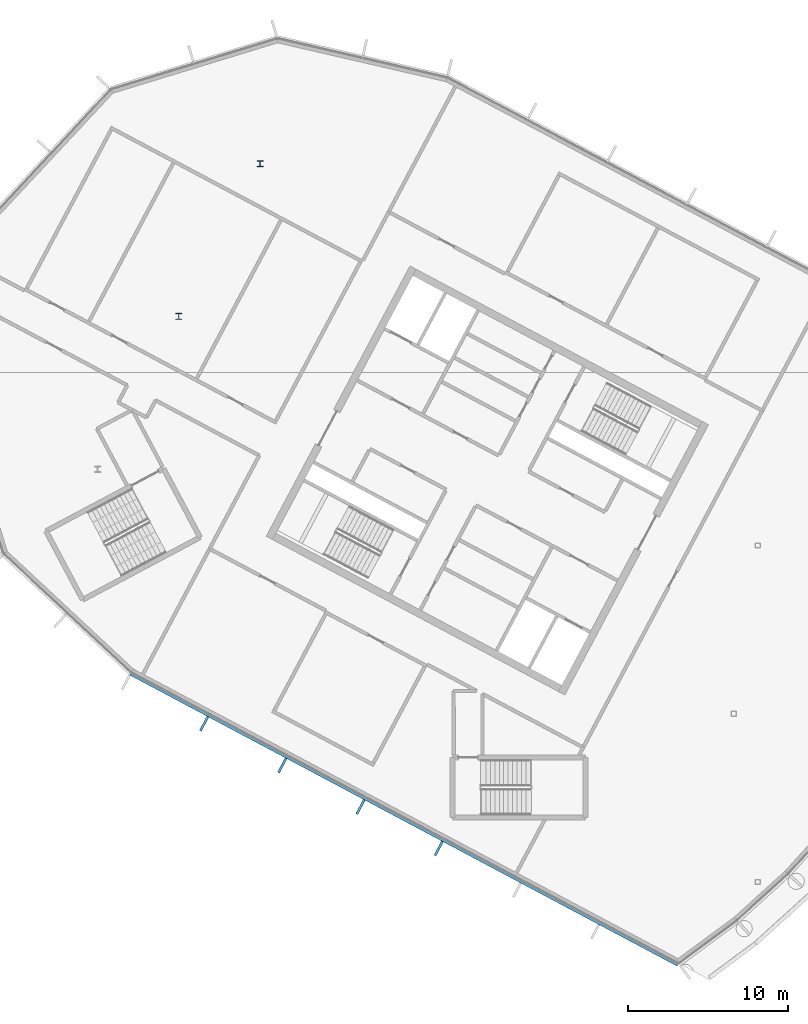
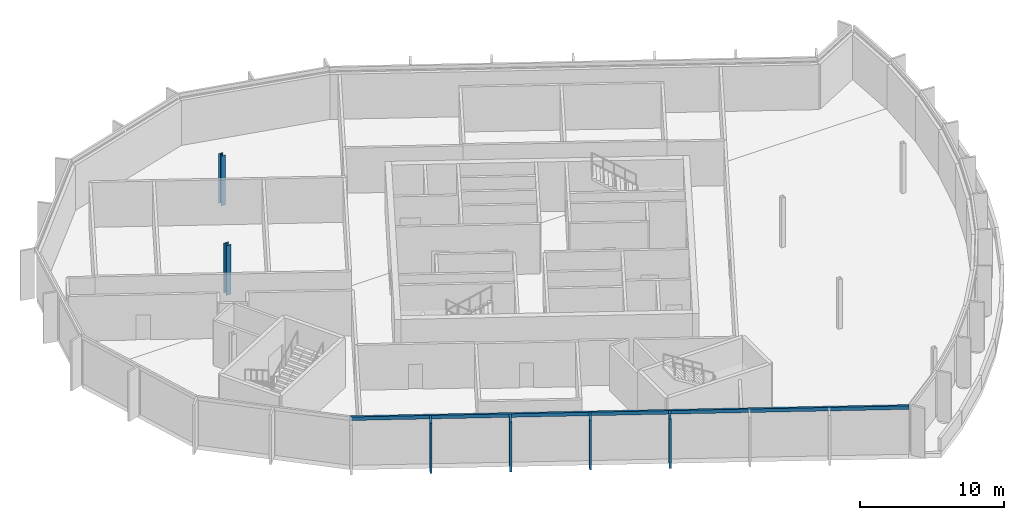
# One storey, part 3 of 15: 5 members, 2 columns, 1 element without a shape of its own.
"""IFC4 building model written with IfcOpenShell, lengths in metres."""

import ifcopenshell
import ifcopenshell.guid

model = None  # the IFC model being written
_history = None  # IfcOwnerHistory: only IFC2X3 demands one
_inside = {}  # id of a spatial element -> (the spatial element, [elements in it])
_under = {}  # id of a project, library or spatial element -> (it, [spatial elements below it])
_declared = {}  # id of a project -> (the project, [libraries it declares])
_typed = {}  # id of a type object -> (the type object, [elements of that type])
_made_of = {}  # id of a material, layer set ... -> (it, [elements and type objects made of it])


def new_model(schema):
    """Start an empty IFC model of exactly this schema.

    Asked for "IFC4X3", IfcOpenShell would pick the latest addendum, in which some entities
    have other attributes; the version numbers below select the first issue.
    IFC2X3 requires an IfcOwnerHistory on every rooted entity: one is made here for all.
    """
    global model, _history
    if schema == "IFC4X3":
        model = ifcopenshell.file(schema_version=(4, 3, 0, 0))
    else:
        model = ifcopenshell.file(schema=schema)
    _inside.clear()
    _under.clear()
    _declared.clear()
    _typed.clear()
    _made_of.clear()
    _history = None
    if model.schema == "IFC2X3":
        org = make("IfcOrganization", Name="unknown")
        user = make(
            "IfcPersonAndOrganization",
            ThePerson=make("IfcPerson", FamilyName="unknown"),
            TheOrganization=org,
        )
        app = make(
            "IfcApplication",
            ApplicationDeveloper=org,
            Version="unknown",
            ApplicationFullName="unknown",
            ApplicationIdentifier="unknown",
        )
        _history = make(
            "IfcOwnerHistory",
            OwningUser=user,
            OwningApplication=app,
            ChangeAction="ADDED",
            CreationDate=0,
        )
    return model


def make(cls, **values):
    """One entity of the class cls with the attributes given. An attribute that is None is left unset."""
    return model.create_entity(
        cls, **{name: value for name, value in values.items() if value is not None}
    )


def rooted(cls, **values):
    """An entity with a GlobalId (a new one), such as an element, a storey or a relation."""
    return make(cls, GlobalId=ifcopenshell.guid.new(), OwnerHistory=_history, **values)


def si_unit(unit_type, name, prefix=None):
    """IfcSIUnit, for example si_unit("LENGTHUNIT", "METRE", prefix="MILLI")."""
    return make("IfcSIUnit", UnitType=unit_type, Prefix=prefix, Name=name)


def assignment(units):
    """IfcUnitAssignment: the units of a project."""
    return None if units is None else make("IfcUnitAssignment", Units=units)


def point(xyz):
    """IfcCartesianPoint."""
    return None if xyz is None else make("IfcCartesianPoint", Coordinates=xyz)


def direction(xyz):
    """IfcDirection."""
    return None if xyz is None else make("IfcDirection", DirectionRatios=xyz)


def frame(location, z_axis=None, x_axis=None):
    """IfcAxis2Placement3D, a coordinate frame: its origin and axes. An axis left out is left unset."""
    return make(
        "IfcAxis2Placement3D",
        Location=point(location),
        Axis=direction(z_axis),
        RefDirection=direction(x_axis),
    )


def frame_2d(location, x_axis=None):
    """IfcAxis2Placement2D, a coordinate frame in the plane: its origin and x axis."""
    return make(
        "IfcAxis2Placement2D", Location=point(location), RefDirection=direction(x_axis)
    )


def origin():
    """The frame at (0, 0, 0) with its axes left unset."""
    return frame((0.0, 0.0, 0.0))


def origin_2d():
    """The frame at (0, 0) in the plane with its x axis left unset."""
    return frame_2d((0.0, 0.0))


def place(relative_to, where):
    """IfcLocalPlacement: puts the frame where relative to a parent placement (None: the world)."""
    return make(
        "IfcLocalPlacement", PlacementRelTo=relative_to, RelativePlacement=where
    )


def context(
    kind, dimensions, precision=None, world=None, true_north=None, identifier=None
):
    """IfcGeometricRepresentationContext, for example the 3D "Model" context."""
    return make(
        "IfcGeometricRepresentationContext",
        ContextIdentifier=identifier,
        ContextType=kind,
        CoordinateSpaceDimension=dimensions,
        Precision=precision,
        WorldCoordinateSystem=world,
        TrueNorth=true_north,
    )


def subcontext(parent, identifier, kind, view, scale=None):
    """IfcGeometricRepresentationSubContext, for example "Body" below "Model"."""
    return make(
        "IfcGeometricRepresentationSubContext",
        ContextIdentifier=identifier,
        ContextType=kind,
        ParentContext=parent,
        TargetScale=scale,
        TargetView=view,
    )


def project(units=None, contexts=None):
    """IfcProject with its units and contexts."""
    return rooted(
        "IfcProject",
        Name="project",
        RepresentationContexts=contexts,
        UnitsInContext=assignment(units),
    )


def spatial(cls, under=None, at=None, **own):
    """A site, building, storey or space (cls), placed at a placement, below another one or the project."""
    s = rooted(cls, ObjectPlacement=at, **own)
    if under is not None:
        _under.setdefault(under.id(), (under, []))[1].append(s)
    return s


def profile(cls, at=None, kind="AREA", **sizes):
    """A parametric profile (cls). Its sizes go by their IFC names, for example OverallWidth=200.0."""
    return make(cls, ProfileType=kind, Position=at, **sizes)


def rectangle(**sizes):
    """IfcRectangleProfileDef."""
    return profile("IfcRectangleProfileDef", **sizes)


def i_section(**sizes):
    """IfcIShapeProfileDef."""
    return profile("IfcIShapeProfileDef", **sizes)


def extrude(swept, where, along, depth):
    """IfcExtrudedAreaSolid: the profile swept, set in the frame where, extruded along a direction by depth."""
    return make(
        "IfcExtrudedAreaSolid",
        SweptArea=swept,
        Position=where,
        ExtrudedDirection=direction(along),
        Depth=depth,
    )


def shape(context_of_items, identifier, shape_type, items):
    """IfcShapeRepresentation: the items that make up one representation, for example the "Body"."""
    return make(
        "IfcShapeRepresentation",
        ContextOfItems=context_of_items,
        RepresentationIdentifier=identifier,
        RepresentationType=shape_type,
        Items=items,
    )


def material(Name=None, Category=None):
    """IfcMaterial."""
    return make("IfcMaterial", Name=Name, Category=Category)


def layer(
    of_material, thickness, ventilated=None, Name=None, Category=None, Priority=None
):
    """IfcMaterialLayer: one layer of a wall or slab, of a material (None: an air gap)."""
    return make(
        "IfcMaterialLayer",
        Material=of_material,
        LayerThickness=thickness,
        IsVentilated=ventilated,
        Name=Name,
        Category=Category,
        Priority=Priority,
    )


def layer_set(layers, Name=None):
    """IfcMaterialLayerSet."""
    return make("IfcMaterialLayerSet", MaterialLayers=layers, LayerSetName=Name)


def material_profile(
    of_material, cross_section, Name=None, Category=None, Priority=None
):
    """IfcMaterialProfile: a cross section and its material."""
    return make(
        "IfcMaterialProfile",
        Name=Name,
        Material=of_material,
        Profile=cross_section,
        Priority=Priority,
        Category=Category,
    )


def profile_set(profiles, Name=None, composite=None):
    """IfcMaterialProfileSet."""
    return make(
        "IfcMaterialProfileSet",
        Name=Name,
        MaterialProfiles=profiles,
        CompositeProfile=composite,
    )


def made_of(thing, what):
    """Note that an element or type object is made of a material, layer set ...; save() writes the relation."""
    if what is not None:
        _made_of.setdefault(what.id(), (what, []))[1].append(thing)
    return thing


def type_object(cls, material=None, **own):
    """A type object (cls), such as IfcWallType, which elements share."""
    return made_of(rooted(cls, **own), material)


def element(
    cls,
    number,
    at=None,
    inside=None,
    cuts=None,
    type_object=None,
    material=None,
    context=None,
    identifier="Body",
    shape_type=None,
    held_by="IfcProductDefinitionShape",
    body=None,
    shapes=None,
    **own,
):
    """One element of the class cls, such as IfcWall. Its Tag is "e" and its number.

    at: its placement. inside: the storey or other place that contains it. cuts: it is an
    opening in that element (IfcRelVoidsElement). A single representation is given by context,
    identifier, shape_type and body (its items); several are given by shapes. held_by: the class
    of the entity that holds the representations. save() writes the other relations.
    """
    e = rooted(cls, Tag="e%d" % number, ObjectPlacement=at, **own)
    if body is not None:
        shapes = [shape(context, identifier, shape_type, body)]
    if shapes is not None:
        e.Representation = make(held_by, Representations=shapes)
    if inside is not None:
        _inside.setdefault(inside.id(), (inside, []))[1].append(e)
    if cuts is not None:
        rooted(
            "IfcRelVoidsElement", RelatingBuildingElement=cuts, RelatedOpeningElement=e
        )
    if type_object is not None:
        _typed.setdefault(type_object.id(), (type_object, []))[1].append(e)
    return made_of(e, material)


def aggregate(whole, parts):
    """IfcRelAggregates: a whole, such as a stair, and the parts it consists of."""
    return rooted("IfcRelAggregates", RelatingObject=whole, RelatedObjects=parts)


def save(model, path):
    """Write the relations noted so far, then the file.

    IfcRelAggregates (storeys below a building ...), IfcRelContainedInSpatialStructure (elements
    in a storey), IfcRelDefinesByType, IfcRelAssociatesMaterial and IfcRelDeclares: one each for
    every whole, place, type object, material and project.
    """
    for whole, parts in _under.values():
        aggregate(whole, parts)
    for where, things in _inside.values():
        rooted(
            "IfcRelContainedInSpatialStructure",
            RelatedElements=things,
            RelatingStructure=where,
        )
    for kind, things in _typed.values():
        rooted("IfcRelDefinesByType", RelatedObjects=things, RelatingType=kind)
    for what, things in _made_of.values():
        rooted("IfcRelAssociatesMaterial", RelatedObjects=things, RelatingMaterial=what)
    for by, libraries in _declared.values():
        rooted("IfcRelDeclares", RelatingContext=by, RelatedDefinitions=libraries)
    model.write(path)


model = new_model("IFC4")

# Units and contexts
model_context = context("Model", 3, precision=1e-05, world=origin(), true_north=direction((0.0, 1.0)))
body_context = subcontext(model_context, "Body", "Model", "MODEL_VIEW")
ifc_project = project(units=[si_unit("LENGTHUNIT", "METRE"), si_unit("AREAUNIT", "SQUARE_METRE"), si_unit("VOLUMEUNIT", "CUBIC_METRE"), si_unit("PLANEANGLEUNIT", "RADIAN"), si_unit("MASSUNIT", "GRAM", prefix="KILO")], contexts=[model_context])

# Site, building, storey
site_placement = place(None, origin())
site = spatial("IfcSite", under=ifc_project, at=site_placement, CompositionType="ELEMENT")
building_placement = place(site_placement, origin())
building = spatial("IfcBuilding", under=site, at=building_placement, Name="Cormorant Relay Tower", CompositionType="ELEMENT")
storey_placement = place(building_placement, frame((0.0, 0.0, 332.39990234375)))
storey = spatial("IfcBuildingStorey", under=building, at=storey_placement, Name="C2", CompositionType="ELEMENT", Elevation=332.39990234375)

# Columns
ifc_material_1 = material(Name="Steel ASTM A992 (Fy 345 MPa)", Category="steel")
ifc_material_profile_1 = material_profile(ifc_material_1, i_section(OverallWidth=0.373291015625, OverallDepth=0.373291015625, WebThickness=0.016357421875, FlangeThickness=0.026123046875, FilletRadius=0.01513671875, at=origin_2d()), Name="W360x196")
ifc_profile_set_1 = profile_set([ifc_material_profile_1], Name="Steel ASTM A992 (Fy 345 MPa)")
column_type = type_object("IfcColumnType", Name="Column W360x196", PredefinedType="COLUMN", material=ifc_profile_set_1)
for number, where, z_axis, x_axis, name in (
    (1, (-46.6201171875, 24.7880859375, 0.0), (0.0, 0.0, 1.0), (1.0, 0.0, 0.0), "Column C2-006"),
    (2, (-41.549072265625, 34.323974609375, 0.0), (0.0, 0.0, 1.0), (1.0, 0.0, 0.0), "Column C2-007"),
):
    element("IfcColumn", number, at=place(storey_placement, frame(where, z_axis=z_axis, x_axis=x_axis)), inside=storey, type_object=column_type, Name=name, PredefinedType="COLUMN", context=body_context, shape_type="SweptSolid", body=[
        extrude(i_section(OverallWidth=0.373291015625, OverallDepth=0.373291015625, WebThickness=0.016357421875, FlangeThickness=0.026123046875, FilletRadius=0.01513671875, at=origin_2d()), origin(), (0.0, 0.0, 1.0), 4.2001953125),
    ])

# Curtain wall, members
ifc_material_2 = material(Name="Aluminium 6063-T6 anodised bronze", Category="aluminium")
ifc_layer = layer(ifc_material_2, 0.199951171875)
ifc_layer_set = layer_set([ifc_layer], Name="CW3 crown screen wall")
curtain_wall_type = type_object("IfcCurtainWallType", Name="CW3 crown screen wall", PredefinedType="NOTDEFINED", material=ifc_layer_set)
curtain_wall_placement = place(storey_placement, origin())
curtain_wall = element("IfcCurtainWall", 3, at=curtain_wall_placement, inside=storey, type_object=curtain_wall_type, Name="CW3 curtain wall 1", PredefinedType="NOTDEFINED")
ifc_material_3 = material(Name="Aluminium 6063-T6 anodised bronze", Category="aluminium")
ifc_material_profile_2 = material_profile(ifc_material_3, rectangle(XDim=0.14990234375, YDim=1.0, at=origin_2d()), Name="AL 150x1000")
ifc_profile_set_2 = profile_set([ifc_material_profile_2], Name="Aluminium 6063-T6 anodised bronze")
member_type_1 = type_object("IfcMemberType", Name="CW3 bronze fin mullion 150 x 1000", PredefinedType="MULLION", material=ifc_profile_set_2)
member_1_placement = place(storey_placement, frame((-45.041748046875, -0.627685546875, 0.0), z_axis=(0.0, 0.0, 1.0), x_axis=(0.882947592859, -0.469471562786, 0.0)))
member_1 = element("IfcMember", 4, at=member_1_placement, type_object=member_type_1, Name="CW3 fin 1.2", PredefinedType="MULLION", context=body_context, shape_type="SweptSolid", body=[
    extrude(rectangle(XDim=0.14990234375, YDim=1.0, at=origin_2d()), origin(), (0.0, 0.0, 1.0), 4.2001953125),
])
member_2_placement = place(storey_placement, frame((-40.1630859375, -3.2216796875, 0.0), z_axis=(0.0, 0.0, 1.0), x_axis=(0.882947592859, -0.469471562786, 0.0)))
member_2 = element("IfcMember", 5, at=member_2_placement, type_object=member_type_1, Name="CW3 fin 1.3", PredefinedType="MULLION", context=body_context, shape_type="SweptSolid", body=[
    extrude(rectangle(XDim=0.14990234375, YDim=1.0, at=origin_2d()), origin(), (0.0, 0.0, 1.0), 4.2001953125),
])
member_3_placement = place(storey_placement, frame((-35.284912109375, -5.8154296875, 0.0), z_axis=(0.0, 0.0, 1.0), x_axis=(0.882947592859, -0.469471562786, 0.0)))
member_3 = element("IfcMember", 6, at=member_3_placement, type_object=member_type_1, Name="CW3 fin 1.4", PredefinedType="MULLION", context=body_context, shape_type="SweptSolid", body=[
    extrude(rectangle(XDim=0.14990234375, YDim=1.0, at=origin_2d()), origin(), (0.0, 0.0, 1.0), 4.2001953125),
])
member_4_placement = place(storey_placement, frame((-30.40625, -8.409423828125, 0.0), z_axis=(0.0, 0.0, 1.0), x_axis=(0.882947592859, -0.469471562786, 0.0)))
member_4 = element("IfcMember", 7, at=member_4_placement, type_object=member_type_1, Name="CW3 fin 1.5", PredefinedType="MULLION", context=body_context, shape_type="SweptSolid", body=[
    extrude(rectangle(XDim=0.14990234375, YDim=1.0, at=origin_2d()), origin(), (0.0, 0.0, 1.0), 4.2001953125),
])
ifc_material_4 = material(Name="Aluminium 6063-T6 anodised bronze", Category="aluminium")
ifc_material_profile_3 = material_profile(ifc_material_4, rectangle(XDim=0.159912109375, YDim=0.300048828125, at=origin_2d()), Name="AL 160x300")
ifc_profile_set_3 = profile_set([ifc_material_profile_3], Name="Aluminium 6063-T6 anodised bronze")
member_type_2 = type_object("IfcMemberType", Name="CW3 bronze transom 160 x 300", PredefinedType="USERDEFINED", material=ifc_profile_set_3)
member_5_placement = place(storey_placement, frame((-49.64794921875, 2.478515625, 4.050048828125), z_axis=(0.882945992714, -0.469474572208, 0.0), x_axis=(0.469474572208, 0.882945992714, 0.0)))
member_5 = element("IfcMember", 8, at=member_5_placement, type_object=member_type_2, Name="CW3 transom 1", ObjectType="TRANSOM", PredefinedType="USERDEFINED", context=body_context, shape_type="SweptSolid", body=[
    extrude(rectangle(XDim=0.159912109375, YDim=0.300048828125, at=origin_2d()), origin(), (0.0, 0.0, 1.0), 38.6767578125),
])
aggregate(curtain_wall, [member_1, member_2, member_3, member_4, member_5])

save(model, "model.ifc")
